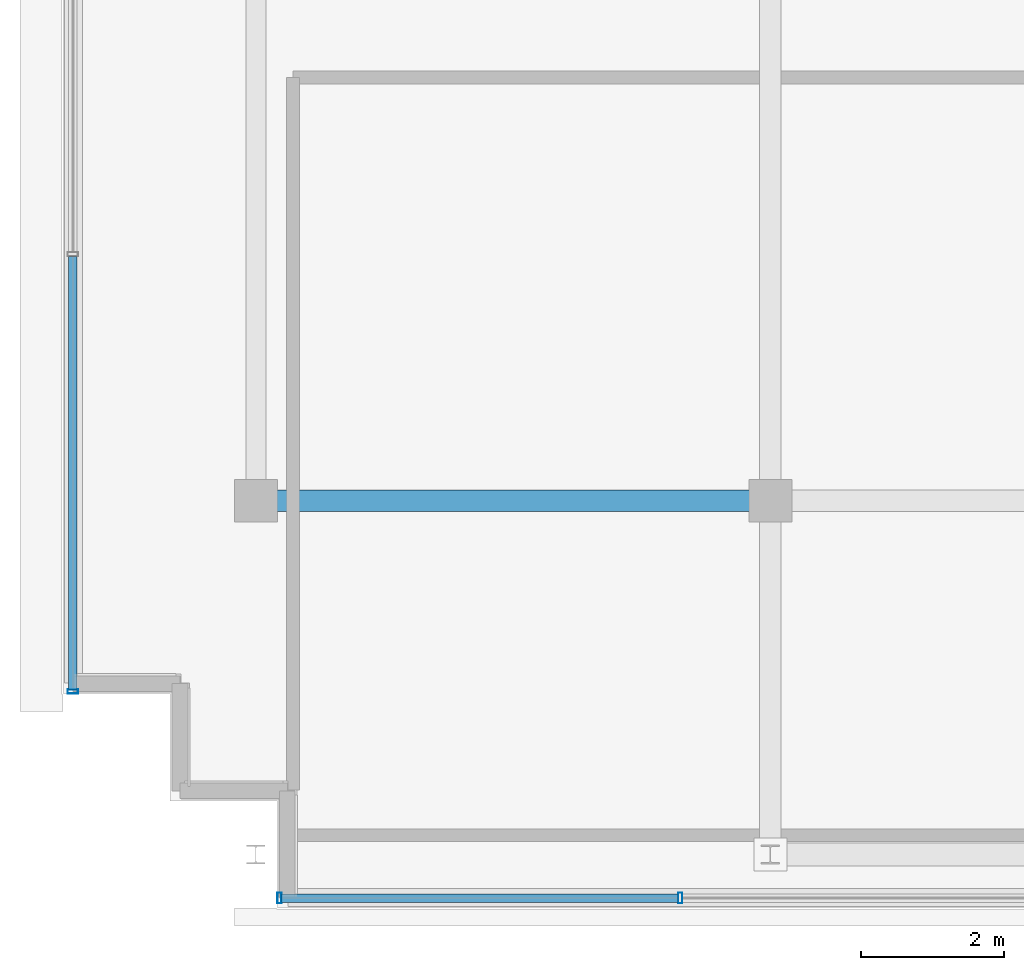
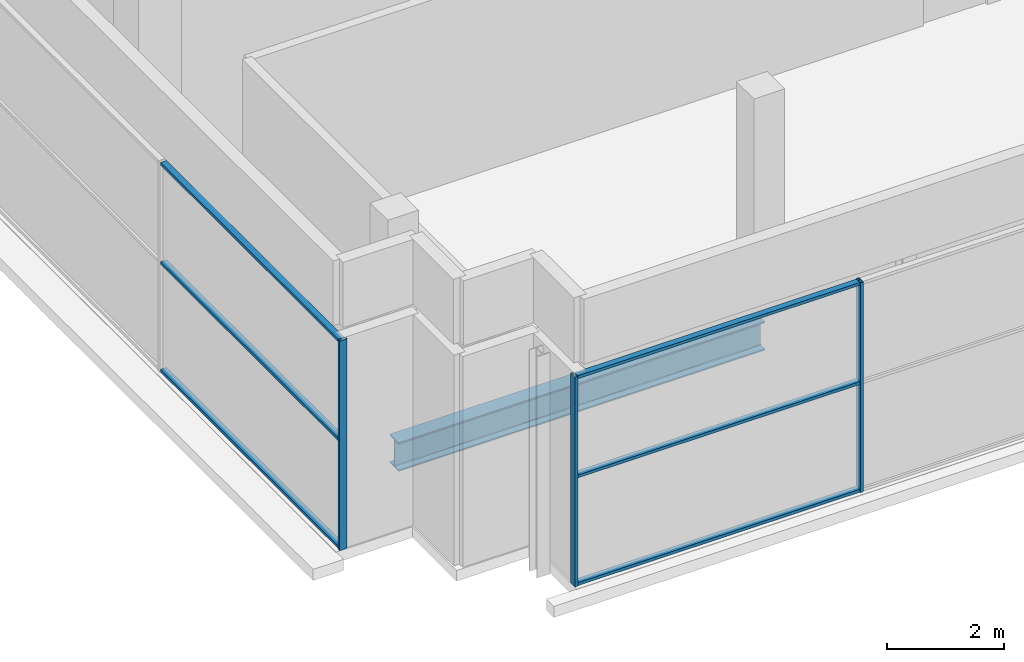
# One storey, part 3 of 22: 9 members, 1 beam, 2 elements without a shape of their own.
"""IFC4 building model written with IfcOpenShell, lengths in metres."""

from ifc_helpers import new_model, si_unit, direction, frame, origin, origin_2d, place, context, subcontext, project, spatial, hollow_rectangle, i_section, extrude, source, transform, mapped, material, layer, layer_set, material_profile, profile_set, type_object, element, aggregate, save


model = new_model("IFC4")

# Units and contexts
model_context = context("Model", 3, precision=1e-05, world=origin(), true_north=direction((0.0, 1.0)))
body_context = subcontext(model_context, "Body", "Model", "MODEL_VIEW")
ifc_project = project(units=[si_unit("LENGTHUNIT", "METRE"), si_unit("AREAUNIT", "SQUARE_METRE"), si_unit("VOLUMEUNIT", "CUBIC_METRE"), si_unit("PLANEANGLEUNIT", "RADIAN"), si_unit("MASSUNIT", "GRAM", prefix="KILO")], contexts=[model_context])

# Site, building, storey
site_placement = place(None, origin())
site = spatial("IfcSite", under=ifc_project, at=site_placement, CompositionType="ELEMENT")
building_placement = place(site_placement, origin())
building = spatial("IfcBuilding", under=site, at=building_placement, Name="Zarnakvel Exchange Tower", CompositionType="ELEMENT")
storey_placement = place(building_placement, frame((0.0, 0.0, 299.199951171875)))
storey = spatial("IfcBuildingStorey", under=building, at=storey_placement, Name="Crown L83", CompositionType="ELEMENT", Elevation=299.199951171875)

# Beam
ifc_material_1 = material(Name="Steel S355", Category="steel")
ifc_material_profile_1 = material_profile(ifc_material_1, i_section(OverallWidth=0.300048828125, OverallDepth=0.60009765625, WebThickness=0.015380859375, FlangeThickness=0.030029296875, FilletRadius=0.027099609375, at=origin_2d()))
ifc_profile_set_1 = profile_set([ifc_material_profile_1], Name="Steel S355")
beam_type = type_object("IfcBeamType", Name="G-04", PredefinedType="BEAM", material=ifc_profile_set_1)
beam_placement = place(storey_placement, frame((-14.39990234375, -9.60009765625, -0.52001953125), z_axis=(1.0, 0.0, 0.0), x_axis=(0.0, 1.0, 0.0)))
element("IfcBeam", 1, at=beam_placement, inside=storey, type_object=beam_type, Name="Crown L83 Tower E-W Frame Beam", PredefinedType="BEAM", context=body_context, shape_type="SweptSolid", body=[
    extrude(i_section(OverallWidth=0.300048828125, OverallDepth=0.60009765625, WebThickness=0.015380859375, FlangeThickness=0.030029296875, FilletRadius=0.027099609375, at=origin_2d()), origin(), (0.0, 0.0, 1.0), 7.199951171875),
])

# Curtain wall, members
ifc_material_2 = material(Name="Architectural Bronze Anodised Aluminium", Category="aluminium")
ifc_layer = layer(ifc_material_2, 0.14990234375)
ifc_layer_set = layer_set([ifc_layer], Name="Architectural Bronze Anodised Aluminium")
curtain_wall_type = type_object("IfcCurtainWallType", Name="CW-07", PredefinedType="NOTDEFINED", material=ifc_layer_set)
curtain_wall_1_placement = place(storey_placement, origin())
curtain_wall_1 = element("IfcCurtainWall", 2, at=curtain_wall_1_placement, inside=storey, type_object=curtain_wall_type, Name="Crown L83 Curtain Wall CW-Crown L83-S (CW-07)", PredefinedType="NOTDEFINED")
ifc_material_profile_2 = material_profile(ifc_material_2, hollow_rectangle(XDim=0.14990234375, YDim=0.06005859375, WallThickness=0.00390625, at=origin_2d()))
ifc_profile_set_2 = profile_set([ifc_material_profile_2], Name="Architectural Bronze Anodised Aluminium")
member_type_1 = type_object("IfcMemberType", Name="CWM-07", PredefinedType="MULLION", material=ifc_profile_set_2)
shared_shape_1 = source(origin(), body_context, "Body", "SweptSolid", [
    extrude(hollow_rectangle(XDim=0.14990234375, YDim=0.06005859375, WallThickness=0.00390625, at=origin_2d()), origin(), (0.0, 0.0, 1.0), 4.360107421875),
])
member_1_placement = place(storey_placement, frame((-14.070068359375, -15.159912109375, 0.0), z_axis=(0.0, 0.0, 1.0), x_axis=(0.0, 1.0, 0.0)))
member_1 = element("IfcMember", 3, at=member_1_placement, type_object=member_type_1, Name="CW-07 mullion 1", PredefinedType="MULLION", context=body_context, shape_type="MappedRepresentation", body=[
    mapped(shared_shape_1, transform((0.0, 0.0, 0.0), x_axis=(1.0, 0.0, 0.0), y_axis=(0.0, 1.0, 0.0), z_axis=(0.0, 0.0, 1.0), scale=1.0)),
])
member_2_placement = place(storey_placement, frame((-8.4599609375, -15.159912109375, 0.0), z_axis=(0.0, 0.0, 1.0), x_axis=(0.0, 1.0, 0.0)))
member_2 = element("IfcMember", 4, at=member_2_placement, type_object=member_type_1, Name="CW-07 mullion 2", PredefinedType="MULLION", context=body_context, shape_type="MappedRepresentation", body=[
    mapped(shared_shape_1, transform((0.0, 0.0, 0.0), x_axis=(1.0, 0.0, 0.0), y_axis=(0.0, 1.0, 0.0), z_axis=(0.0, 0.0, 1.0), scale=1.0)),
])

# Curtain wall, member
curtain_wall_2_placement = place(storey_placement, origin())
curtain_wall_2 = element("IfcCurtainWall", 5, at=curtain_wall_2_placement, inside=storey, type_object=curtain_wall_type, Name="Crown L83 Curtain Wall CW-Crown L83-W (CW-07)", PredefinedType="NOTDEFINED")
member_3_placement = place(storey_placement, frame((-16.9599609375, -12.27001953125, 0.0), z_axis=(0.0, 0.0, 1.0), x_axis=(-1.0, 0.0, 0.0)))
member_3 = element("IfcMember", 6, at=member_3_placement, type_object=member_type_1, Name="CW-07 mullion 1", PredefinedType="MULLION", context=body_context, shape_type="MappedRepresentation", body=[
    mapped(shared_shape_1, transform((0.0, 0.0, 0.0), x_axis=(1.0, 0.0, 0.0), y_axis=(0.0, 1.0, 0.0), z_axis=(0.0, 0.0, 1.0), scale=1.0)),
])

# Member
ifc_material_profile_3 = material_profile(ifc_material_2, hollow_rectangle(XDim=0.1201171875, YDim=0.06005859375, WallThickness=0.00390625, at=origin_2d()))
ifc_profile_set_3 = profile_set([ifc_material_profile_3], Name="Architectural Bronze Anodised Aluminium")
member_type_2 = type_object("IfcMemberType", Name="CWT-07", PredefinedType="USERDEFINED", material=ifc_profile_set_3)
shared_shape_2 = source(origin(), body_context, "Body", "SweptSolid", [
    extrude(hollow_rectangle(XDim=0.1201171875, YDim=0.06005859375, WallThickness=0.00390625, at=origin_2d()), origin(), (0.0, 0.0, 1.0), 5.550048828125),
])
member_4_placement = place(storey_placement, frame((-14.0400390625, -15.159912109375, 0.030029296875), z_axis=(1.0, 0.0, 0.0), x_axis=(0.0, 1.0, 0.0)))
member_4 = element("IfcMember", 7, at=member_4_placement, type_object=member_type_2, Name="CW-07 transom 1.1", ObjectType="TRANSOM", PredefinedType="USERDEFINED", context=body_context, shape_type="MappedRepresentation", body=[
    mapped(shared_shape_2, transform((0.0, 0.0, 0.0), x_axis=(1.0, 0.0, 0.0), y_axis=(0.0, 1.0, 0.0), z_axis=(0.0, 0.0, 1.0), scale=1.0)),
])

member_5_placement = place(storey_placement, frame((-14.0400390625, -15.159912109375, 2.267333984375), z_axis=(1.0, 0.0, 0.0), x_axis=(0.0, 1.0, 0.0)))
member_5 = element("IfcMember", 8, at=member_5_placement, type_object=member_type_2, Name="CW-07 transom 1.2", ObjectType="TRANSOM", PredefinedType="USERDEFINED", context=body_context, shape_type="MappedRepresentation", body=[
    mapped(shared_shape_2, transform((0.0, 0.0, 0.0), x_axis=(1.0, 0.0, 0.0), y_axis=(0.0, 1.0, 0.0), z_axis=(0.0, 0.0, 1.0), scale=1.0)),
])

member_6_placement = place(storey_placement, frame((-14.0400390625, -15.159912109375, 4.330078125), z_axis=(1.0, 0.0, 0.0), x_axis=(0.0, 1.0, 0.0)))
member_6 = element("IfcMember", 9, at=member_6_placement, type_object=member_type_2, Name="CW-07 transom 1.3", ObjectType="TRANSOM", PredefinedType="USERDEFINED", context=body_context, shape_type="MappedRepresentation", body=[
    mapped(shared_shape_2, transform((0.0, 0.0, 0.0), x_axis=(1.0, 0.0, 0.0), y_axis=(0.0, 1.0, 0.0), z_axis=(0.0, 0.0, 1.0), scale=1.0)),
])

aggregate(curtain_wall_1, [member_1, member_2, member_4, member_5, member_6])

shared_shape_3 = source(origin(), body_context, "Body", "SweptSolid", [
    extrude(hollow_rectangle(XDim=0.1201171875, YDim=0.06005859375, WallThickness=0.00390625, at=origin_2d()), origin(), (0.0, 0.0, 1.0), 6.06005859375),
])
member_7_placement = place(storey_placement, frame((-16.9599609375, -12.239990234375, 0.030029296875), z_axis=(0.0, 1.0, 0.0), x_axis=(-1.0, 0.0, 0.0)))
member_7 = element("IfcMember", 10, at=member_7_placement, type_object=member_type_2, Name="CW-07 transom 1.1", ObjectType="TRANSOM", PredefinedType="USERDEFINED", context=body_context, shape_type="MappedRepresentation", body=[
    mapped(shared_shape_3, transform((0.0, 0.0, 0.0), x_axis=(1.0, 0.0, 0.0), y_axis=(0.0, 1.0, 0.0), z_axis=(0.0, 0.0, 1.0), scale=1.0)),
])

member_8_placement = place(storey_placement, frame((-16.9599609375, -12.239990234375, 2.267333984375), z_axis=(0.0, 1.0, 0.0), x_axis=(-1.0, 0.0, 0.0)))
member_8 = element("IfcMember", 11, at=member_8_placement, type_object=member_type_2, Name="CW-07 transom 1.2", ObjectType="TRANSOM", PredefinedType="USERDEFINED", context=body_context, shape_type="MappedRepresentation", body=[
    mapped(shared_shape_3, transform((0.0, 0.0, 0.0), x_axis=(1.0, 0.0, 0.0), y_axis=(0.0, 1.0, 0.0), z_axis=(0.0, 0.0, 1.0), scale=1.0)),
])

member_9_placement = place(storey_placement, frame((-16.9599609375, -12.239990234375, 4.330078125), z_axis=(0.0, 1.0, 0.0), x_axis=(-1.0, 0.0, 0.0)))
member_9 = element("IfcMember", 12, at=member_9_placement, type_object=member_type_2, Name="CW-07 transom 1.3", ObjectType="TRANSOM", PredefinedType="USERDEFINED", context=body_context, shape_type="MappedRepresentation", body=[
    mapped(shared_shape_3, transform((0.0, 0.0, 0.0), x_axis=(1.0, 0.0, 0.0), y_axis=(0.0, 1.0, 0.0), z_axis=(0.0, 0.0, 1.0), scale=1.0)),
])

aggregate(curtain_wall_2, [member_3, member_7, member_8, member_9])

save(model, "model.ifc")
